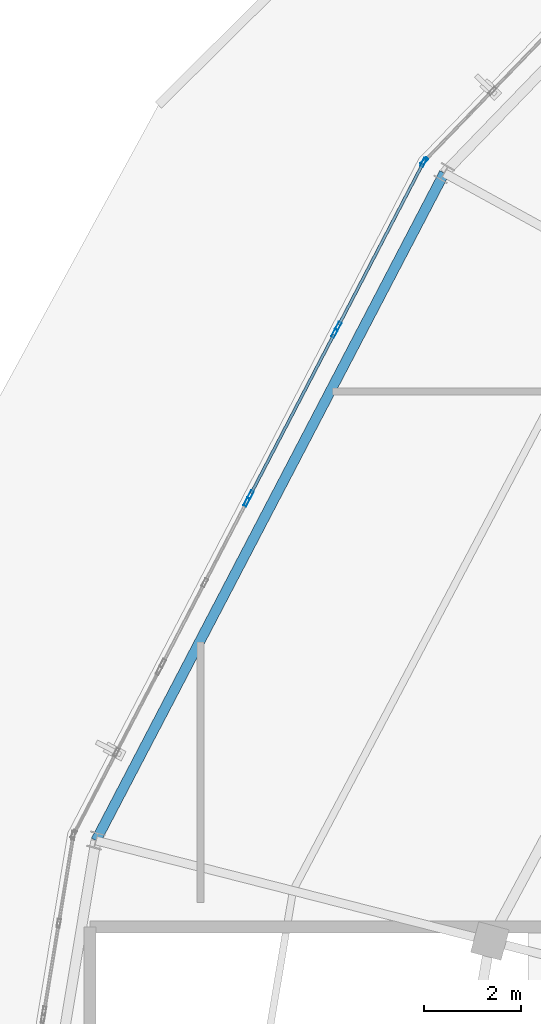
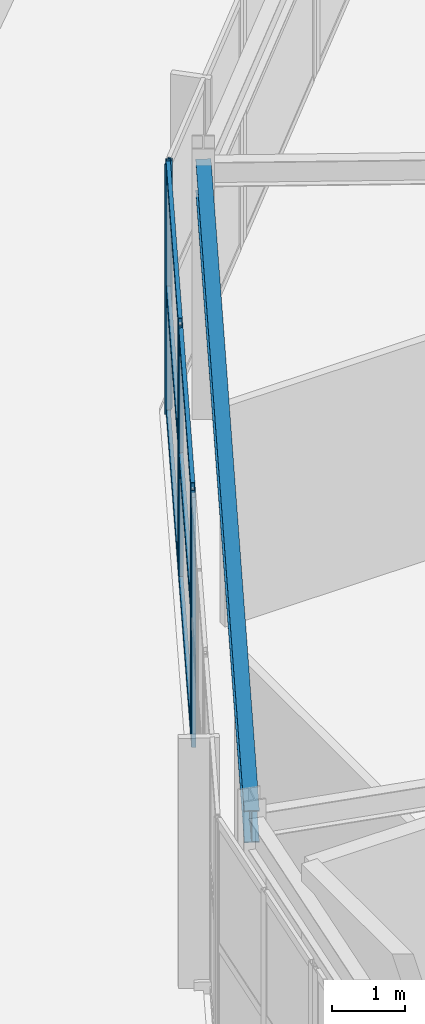
# One storey, part 56 of 126: 12 members, 1 beam, 4 elements without a shape of their own.
"""IFC4 building model written with IfcOpenShell, lengths in metres."""

import ifcopenshell
import ifcopenshell.guid

model = None  # the IFC model being written
_history = None  # IfcOwnerHistory: only IFC2X3 demands one
_inside = {}  # id of a spatial element -> (the spatial element, [elements in it])
_under = {}  # id of a project, library or spatial element -> (it, [spatial elements below it])
_declared = {}  # id of a project -> (the project, [libraries it declares])
_typed = {}  # id of a type object -> (the type object, [elements of that type])
_made_of = {}  # id of a material, layer set ... -> (it, [elements and type objects made of it])


def new_model(schema):
    """Start an empty IFC model of exactly this schema.

    Asked for "IFC4X3", IfcOpenShell would pick the latest addendum, in which some entities
    have other attributes; the version numbers below select the first issue.
    IFC2X3 requires an IfcOwnerHistory on every rooted entity: one is made here for all.
    """
    global model, _history
    if schema == "IFC4X3":
        model = ifcopenshell.file(schema_version=(4, 3, 0, 0))
    else:
        model = ifcopenshell.file(schema=schema)
    _inside.clear()
    _under.clear()
    _declared.clear()
    _typed.clear()
    _made_of.clear()
    _history = None
    if model.schema == "IFC2X3":
        org = make("IfcOrganization", Name="unknown")
        user = make(
            "IfcPersonAndOrganization",
            ThePerson=make("IfcPerson", FamilyName="unknown"),
            TheOrganization=org,
        )
        app = make(
            "IfcApplication",
            ApplicationDeveloper=org,
            Version="unknown",
            ApplicationFullName="unknown",
            ApplicationIdentifier="unknown",
        )
        _history = make(
            "IfcOwnerHistory",
            OwningUser=user,
            OwningApplication=app,
            ChangeAction="ADDED",
            CreationDate=0,
        )
    return model


def make(cls, **values):
    """One entity of the class cls with the attributes given. An attribute that is None is left unset."""
    return model.create_entity(
        cls, **{name: value for name, value in values.items() if value is not None}
    )


def rooted(cls, **values):
    """An entity with a GlobalId (a new one), such as an element, a storey or a relation."""
    return make(cls, GlobalId=ifcopenshell.guid.new(), OwnerHistory=_history, **values)


def si_unit(unit_type, name, prefix=None):
    """IfcSIUnit, for example si_unit("LENGTHUNIT", "METRE", prefix="MILLI")."""
    return make("IfcSIUnit", UnitType=unit_type, Prefix=prefix, Name=name)


def assignment(units):
    """IfcUnitAssignment: the units of a project."""
    return None if units is None else make("IfcUnitAssignment", Units=units)


def point(xyz):
    """IfcCartesianPoint."""
    return None if xyz is None else make("IfcCartesianPoint", Coordinates=xyz)


def direction(xyz):
    """IfcDirection."""
    return None if xyz is None else make("IfcDirection", DirectionRatios=xyz)


def frame(location, z_axis=None, x_axis=None):
    """IfcAxis2Placement3D, a coordinate frame: its origin and axes. An axis left out is left unset."""
    return make(
        "IfcAxis2Placement3D",
        Location=point(location),
        Axis=direction(z_axis),
        RefDirection=direction(x_axis),
    )


def frame_2d(location, x_axis=None):
    """IfcAxis2Placement2D, a coordinate frame in the plane: its origin and x axis."""
    return make(
        "IfcAxis2Placement2D", Location=point(location), RefDirection=direction(x_axis)
    )


def origin():
    """The frame at (0, 0, 0) with its axes left unset."""
    return frame((0.0, 0.0, 0.0))


def origin_2d():
    """The frame at (0, 0) in the plane with its x axis left unset."""
    return frame_2d((0.0, 0.0))


def place(relative_to, where):
    """IfcLocalPlacement: puts the frame where relative to a parent placement (None: the world)."""
    return make(
        "IfcLocalPlacement", PlacementRelTo=relative_to, RelativePlacement=where
    )


def context(
    kind, dimensions, precision=None, world=None, true_north=None, identifier=None
):
    """IfcGeometricRepresentationContext, for example the 3D "Model" context."""
    return make(
        "IfcGeometricRepresentationContext",
        ContextIdentifier=identifier,
        ContextType=kind,
        CoordinateSpaceDimension=dimensions,
        Precision=precision,
        WorldCoordinateSystem=world,
        TrueNorth=true_north,
    )


def subcontext(parent, identifier, kind, view, scale=None):
    """IfcGeometricRepresentationSubContext, for example "Body" below "Model"."""
    return make(
        "IfcGeometricRepresentationSubContext",
        ContextIdentifier=identifier,
        ContextType=kind,
        ParentContext=parent,
        TargetScale=scale,
        TargetView=view,
    )


def project(units=None, contexts=None):
    """IfcProject with its units and contexts."""
    return rooted(
        "IfcProject",
        Name="project",
        RepresentationContexts=contexts,
        UnitsInContext=assignment(units),
    )


def spatial(cls, under=None, at=None, **own):
    """A site, building, storey or space (cls), placed at a placement, below another one or the project."""
    s = rooted(cls, ObjectPlacement=at, **own)
    if under is not None:
        _under.setdefault(under.id(), (under, []))[1].append(s)
    return s


def profile(cls, at=None, kind="AREA", **sizes):
    """A parametric profile (cls). Its sizes go by their IFC names, for example OverallWidth=200.0."""
    return make(cls, ProfileType=kind, Position=at, **sizes)


def hollow_rectangle(**sizes):
    """IfcRectangleHollowProfileDef."""
    return profile("IfcRectangleHollowProfileDef", **sizes)


def i_section(**sizes):
    """IfcIShapeProfileDef."""
    return profile("IfcIShapeProfileDef", **sizes)


def extrude(swept, where, along, depth):
    """IfcExtrudedAreaSolid: the profile swept, set in the frame where, extruded along a direction by depth."""
    return make(
        "IfcExtrudedAreaSolid",
        SweptArea=swept,
        Position=where,
        ExtrudedDirection=direction(along),
        Depth=depth,
    )


def shape(context_of_items, identifier, shape_type, items):
    """IfcShapeRepresentation: the items that make up one representation, for example the "Body"."""
    return make(
        "IfcShapeRepresentation",
        ContextOfItems=context_of_items,
        RepresentationIdentifier=identifier,
        RepresentationType=shape_type,
        Items=items,
    )


def material(Name=None, Category=None):
    """IfcMaterial."""
    return make("IfcMaterial", Name=Name, Category=Category)


def layer(
    of_material, thickness, ventilated=None, Name=None, Category=None, Priority=None
):
    """IfcMaterialLayer: one layer of a wall or slab, of a material (None: an air gap)."""
    return make(
        "IfcMaterialLayer",
        Material=of_material,
        LayerThickness=thickness,
        IsVentilated=ventilated,
        Name=Name,
        Category=Category,
        Priority=Priority,
    )


def layer_set(layers, Name=None):
    """IfcMaterialLayerSet."""
    return make("IfcMaterialLayerSet", MaterialLayers=layers, LayerSetName=Name)


def material_profile(
    of_material, cross_section, Name=None, Category=None, Priority=None
):
    """IfcMaterialProfile: a cross section and its material."""
    return make(
        "IfcMaterialProfile",
        Name=Name,
        Material=of_material,
        Profile=cross_section,
        Priority=Priority,
        Category=Category,
    )


def profile_set(profiles, Name=None, composite=None):
    """IfcMaterialProfileSet."""
    return make(
        "IfcMaterialProfileSet",
        Name=Name,
        MaterialProfiles=profiles,
        CompositeProfile=composite,
    )


def made_of(thing, what):
    """Note that an element or type object is made of a material, layer set ...; save() writes the relation."""
    if what is not None:
        _made_of.setdefault(what.id(), (what, []))[1].append(thing)
    return thing


def type_object(cls, material=None, **own):
    """A type object (cls), such as IfcWallType, which elements share."""
    return made_of(rooted(cls, **own), material)


def element(
    cls,
    number,
    at=None,
    inside=None,
    cuts=None,
    type_object=None,
    material=None,
    context=None,
    identifier="Body",
    shape_type=None,
    held_by="IfcProductDefinitionShape",
    body=None,
    shapes=None,
    **own,
):
    """One element of the class cls, such as IfcWall. Its Tag is "e" and its number.

    at: its placement. inside: the storey or other place that contains it. cuts: it is an
    opening in that element (IfcRelVoidsElement). A single representation is given by context,
    identifier, shape_type and body (its items); several are given by shapes. held_by: the class
    of the entity that holds the representations. save() writes the other relations.
    """
    e = rooted(cls, Tag="e%d" % number, ObjectPlacement=at, **own)
    if body is not None:
        shapes = [shape(context, identifier, shape_type, body)]
    if shapes is not None:
        e.Representation = make(held_by, Representations=shapes)
    if inside is not None:
        _inside.setdefault(inside.id(), (inside, []))[1].append(e)
    if cuts is not None:
        rooted(
            "IfcRelVoidsElement", RelatingBuildingElement=cuts, RelatedOpeningElement=e
        )
    if type_object is not None:
        _typed.setdefault(type_object.id(), (type_object, []))[1].append(e)
    return made_of(e, material)


def aggregate(whole, parts):
    """IfcRelAggregates: a whole, such as a stair, and the parts it consists of."""
    return rooted("IfcRelAggregates", RelatingObject=whole, RelatedObjects=parts)


def save(model, path):
    """Write the relations noted so far, then the file.

    IfcRelAggregates (storeys below a building ...), IfcRelContainedInSpatialStructure (elements
    in a storey), IfcRelDefinesByType, IfcRelAssociatesMaterial and IfcRelDeclares: one each for
    every whole, place, type object, material and project.
    """
    for whole, parts in _under.values():
        aggregate(whole, parts)
    for where, things in _inside.values():
        rooted(
            "IfcRelContainedInSpatialStructure",
            RelatedElements=things,
            RelatingStructure=where,
        )
    for kind, things in _typed.values():
        rooted("IfcRelDefinesByType", RelatedObjects=things, RelatingType=kind)
    for what, things in _made_of.values():
        rooted("IfcRelAssociatesMaterial", RelatedObjects=things, RelatingMaterial=what)
    for by, libraries in _declared.values():
        rooted("IfcRelDeclares", RelatingContext=by, RelatedDefinitions=libraries)
    model.write(path)


model = new_model("IFC4")

# Units and contexts
model_context = context("Model", 3, precision=1e-05, world=origin(), true_north=direction((0.0, 1.0)))
body_context = subcontext(model_context, "Body", "Model", "MODEL_VIEW")
ifc_project = project(units=[si_unit("LENGTHUNIT", "METRE"), si_unit("AREAUNIT", "SQUARE_METRE"), si_unit("VOLUMEUNIT", "CUBIC_METRE"), si_unit("PLANEANGLEUNIT", "RADIAN"), si_unit("MASSUNIT", "GRAM", prefix="KILO")], contexts=[model_context])

# Site, building, storey
site_placement = place(None, origin())
site = spatial("IfcSite", under=ifc_project, at=site_placement, CompositionType="ELEMENT")
building_placement = place(site_placement, origin())
building = spatial("IfcBuilding", under=site, at=building_placement, Name="Kalgoora Escarpment Arena", CompositionType="ELEMENT")
storey_placement = place(building_placement, frame((0.0, 0.0, 18.89990234375)))
storey = spatial("IfcBuildingStorey", under=building, at=storey_placement, Name="L04", CompositionType="ELEMENT", Elevation=18.89990234375)

# Beam
ifc_material_1 = material(Name="Structural steel AS/NZS 3679 (300 MPa)", Category="steel")
ifc_material_profile_1 = material_profile(ifc_material_1, i_section(OverallWidth=0.208984375, OverallDepth=0.532958984375, WebThickness=0.01025390625, FlangeThickness=0.015625, at=origin_2d()))
ifc_profile_set_1 = profile_set([ifc_material_profile_1], Name="Structural steel AS/NZS 3679 (300 MPa)")
beam_type = type_object("IfcBeamType", Name="BM-SPANDREL-530UB92.4", PredefinedType="SPANDREL", material=ifc_profile_set_1)
beam_placement = place(storey_placement, frame((30.219482421875, 92.5, 3.95361328125), z_axis=(-0.462595600895, -0.886569405085, 0.0), x_axis=(0.886569405085, -0.462595600895, 0.0)))
element("IfcBeam", 1, at=beam_placement, inside=storey, type_object=beam_type, Name="L04 Circumferential concourse girder RCONC2 530UB92.4", PredefinedType="SPANDREL", context=body_context, shape_type="SweptSolid", body=[
    extrude(i_section(OverallWidth=0.208984375, OverallDepth=0.532958984375, WebThickness=0.01025390625, FlangeThickness=0.015625, at=origin_2d()), origin(), (0.0, 0.0, 1.0), 15.506103515625),
])

# Curtain wall, member
ifc_material_2 = material(Name=" Champagne anodised aluminium & double-glazed low-E", Category="aluminium")
ifc_layer_1 = layer(ifc_material_2, 0.166015625)
ifc_layer_set_1 = layer_set([ifc_layer_1], Name="CW-UNIT-04")
curtain_wall_type_1 = type_object("IfcCurtainWallType", Name="CW-UNIT-04", PredefinedType="NOTDEFINED", material=ifc_layer_set_1)
curtain_wall_1_placement = place(storey_placement, origin())
curtain_wall_1 = element("IfcCurtainWall", 2, at=curtain_wall_1_placement, inside=storey, type_object=curtain_wall_type_1, Name="L04 unitised facade curtain wall 143", PredefinedType="NOTDEFINED")
ifc_material_3 = material(Name="Anodised aluminium 6063-T6", Category="aluminium")
ifc_material_profile_2 = material_profile(ifc_material_3, hollow_rectangle(XDim=0.06494140625, YDim=0.179931640625, WallThickness=0.00390625, at=origin_2d()))
ifc_profile_set_2 = profile_set([ifc_material_profile_2], Name="Anodised aluminium 6063-T6")
member_type_1 = type_object("IfcMemberType", Name="MEM-CW-MULL-180", PredefinedType="MULLION", material=ifc_profile_set_2)
member_1_placement = place(storey_placement, frame((26.151611328125, 85.725341796875, 0.02001953125), z_axis=(0.0, 0.0, 1.0), x_axis=(-0.886984539651, 0.46179911912, 0.0)))
member_1 = element("IfcMember", 3, at=member_1_placement, type_object=member_type_1, Name="CW-04 mullion 3", PredefinedType="MULLION", context=body_context, shape_type="SweptSolid", body=[
    extrude(hollow_rectangle(XDim=0.06494140625, YDim=0.179931640625, WallThickness=0.00390625, at=origin_2d()), origin(), (0.0, 0.0, 1.0), 4.16015625),
])
aggregate(curtain_wall_1, [member_1])

# Curtain wall, members
ifc_material_4 = material(Name=" Champagne anodised aluminium & double-glazed low-E", Category="aluminium")
ifc_layer_2 = layer(ifc_material_4, 0.14990234375)
ifc_layer_set_2 = layer_set([ifc_layer_2], Name="CW-UNIT-05")
curtain_wall_type_2 = type_object("IfcCurtainWallType", Name="CW-UNIT-05", PredefinedType="NOTDEFINED", material=ifc_layer_set_2)
curtain_wall_2_placement = place(storey_placement, origin())
curtain_wall_2 = element("IfcCurtainWall", 4, at=curtain_wall_2_placement, inside=storey, type_object=curtain_wall_type_2, Name="L04 unitised facade curtain wall 144", PredefinedType="NOTDEFINED")
member_2_placement = place(storey_placement, frame((26.22802734375, 85.871826171875, 0.02001953125), z_axis=(0.0, 0.0, 1.0), x_axis=(-0.886984539651, 0.46179911912, 0.0)))
member_2 = element("IfcMember", 5, at=member_2_placement, type_object=member_type_1, Name="CW-05 mullion 1", PredefinedType="MULLION", context=body_context, shape_type="SweptSolid", body=[
    extrude(hollow_rectangle(XDim=0.06494140625, YDim=0.179931640625, WallThickness=0.00390625, at=origin_2d()), origin(), (0.0, 0.0, 1.0), 4.16015625),
])
member_3_placement = place(storey_placement, frame((27.9599609375, 89.198486328125, 0.02001953125), z_axis=(0.0, 0.0, 1.0), x_axis=(-0.886984539651, 0.46179911912, 0.0)))
member_3 = element("IfcMember", 6, at=member_3_placement, type_object=member_type_1, Name="CW-05 mullion 2", PredefinedType="MULLION", context=body_context, shape_type="SweptSolid", body=[
    extrude(hollow_rectangle(XDim=0.06494140625, YDim=0.179931640625, WallThickness=0.00390625, at=origin_2d()), origin(), (0.0, 0.0, 1.0), 4.16015625),
])

ifc_material_5 = material(Name=" Champagne anodised aluminium & double-glazed low-E", Category="aluminium")
ifc_layer_3 = layer(ifc_material_5, 0.154052734375)
ifc_layer_set_3 = layer_set([ifc_layer_3], Name="CW-UNIT-06")
curtain_wall_type_3 = type_object("IfcCurtainWallType", Name="CW-UNIT-06", PredefinedType="NOTDEFINED", material=ifc_layer_set_3)
curtain_wall_3_placement = place(storey_placement, origin())
curtain_wall_3 = element("IfcCurtainWall", 7, at=curtain_wall_3_placement, inside=storey, type_object=curtain_wall_type_3, Name="L04 unitised facade curtain wall 145", PredefinedType="NOTDEFINED")
member_4_placement = place(storey_placement, frame((28.0361328125, 89.3447265625, 0.02001953125), z_axis=(0.0, 0.0, 1.0), x_axis=(-0.886986276427, 0.461795783252, 0.0)))
member_4 = element("IfcMember", 8, at=member_4_placement, type_object=member_type_1, Name="CW-06 mullion 1", PredefinedType="MULLION", context=body_context, shape_type="SweptSolid", body=[
    extrude(hollow_rectangle(XDim=0.06494140625, YDim=0.179931640625, WallThickness=0.00390625, at=origin_2d()), origin(), (0.0, 0.0, 1.0), 4.16015625),
])
member_5_placement = place(storey_placement, frame((29.791259765625, 92.7158203125, 0.02001953125), z_axis=(0.0, 0.0, 1.0), x_axis=(-0.886986276427, 0.461795783252, 0.0)))
member_5 = element("IfcMember", 9, at=member_5_placement, type_object=member_type_1, Name="CW-06 mullion 2", PredefinedType="MULLION", context=body_context, shape_type="SweptSolid", body=[
    extrude(hollow_rectangle(XDim=0.06494140625, YDim=0.179931640625, WallThickness=0.00390625, at=origin_2d()), origin(), (0.0, 0.0, 1.0), 4.16015625),
])

# Curtain wall, member
ifc_material_6 = material(Name=" Champagne anodised aluminium & double-glazed low-E", Category="aluminium")
ifc_layer_4 = layer(ifc_material_6, 0.157958984375)
ifc_layer_set_4 = layer_set([ifc_layer_4], Name="CW-UNIT-07")
curtain_wall_type_4 = type_object("IfcCurtainWallType", Name="CW-UNIT-07", PredefinedType="NOTDEFINED", material=ifc_layer_set_4)
curtain_wall_4_placement = place(storey_placement, origin())
curtain_wall_4 = element("IfcCurtainWall", 10, at=curtain_wall_4_placement, inside=storey, type_object=curtain_wall_type_4, Name="L04 unitised facade curtain wall 146", PredefinedType="NOTDEFINED")
member_6_placement = place(storey_placement, frame((29.808837890625, 92.739990234375, 0.02001953125), z_axis=(0.0, 0.0, 1.0), x_axis=(-0.719779772297, 0.69420247723, 0.0)))
member_6 = element("IfcMember", 11, at=member_6_placement, type_object=member_type_1, Name="CW-07 mullion 1", PredefinedType="MULLION", context=body_context, shape_type="SweptSolid", body=[
    extrude(hollow_rectangle(XDim=0.06494140625, YDim=0.179931640625, WallThickness=0.00390625, at=origin_2d()), origin(), (0.0, 0.0, 1.0), 4.16015625),
])
aggregate(curtain_wall_4, [member_6])

# Member
ifc_material_7 = material(Name="Anodised aluminium 6063-T6", Category="aluminium")
ifc_material_profile_3 = material_profile(ifc_material_7, hollow_rectangle(XDim=0.06005859375, YDim=0.14990234375, WallThickness=0.00341796875, at=origin_2d()))
ifc_profile_set_3 = profile_set([ifc_material_profile_3], Name="Anodised aluminium 6063-T6")
member_type_2 = type_object("IfcMemberType", Name="MEM-CW-TRAN-150", PredefinedType="USERDEFINED", material=ifc_profile_set_3)
member_7_placement = place(storey_placement, frame((26.242919921875, 85.900634765625, 0.050048828125), z_axis=(0.461807393685, 0.886980231537, 0.0), x_axis=(-0.886980231537, 0.461807393685, 0.0)))
member_7 = element("IfcMember", 12, at=member_7_placement, type_object=member_type_2, Name="CW-05 transom 1.1", ObjectType="TRANSOM", PredefinedType="USERDEFINED", context=body_context, shape_type="SweptSolid", body=[
    extrude(hollow_rectangle(XDim=0.06005859375, YDim=0.14990234375, WallThickness=0.00341796875, at=origin_2d()), origin(), (0.0, 0.0, 1.0), 3.685302734375),
])

member_8_placement = place(storey_placement, frame((26.242919921875, 85.900634765625, 2.110107421875), z_axis=(0.461807393685, 0.886980231537, 0.0), x_axis=(-0.886980231537, 0.461807393685, 0.0)))
member_8 = element("IfcMember", 13, at=member_8_placement, type_object=member_type_2, Name="CW-05 transom 1.2", ObjectType="TRANSOM", PredefinedType="USERDEFINED", context=body_context, shape_type="SweptSolid", body=[
    extrude(hollow_rectangle(XDim=0.06005859375, YDim=0.14990234375, WallThickness=0.00341796875, at=origin_2d()), origin(), (0.0, 0.0, 1.0), 3.685302734375),
])

member_9_placement = place(storey_placement, frame((26.242919921875, 85.900634765625, 4.150146484375), z_axis=(0.461807393685, 0.886980231537, 0.0), x_axis=(-0.886980231537, 0.461807393685, 0.0)))
member_9 = element("IfcMember", 14, at=member_9_placement, type_object=member_type_2, Name="CW-05 transom 1.3", ObjectType="TRANSOM", PredefinedType="USERDEFINED", context=body_context, shape_type="SweptSolid", body=[
    extrude(hollow_rectangle(XDim=0.06005859375, YDim=0.14990234375, WallThickness=0.00341796875, at=origin_2d()), origin(), (0.0, 0.0, 1.0), 3.685302734375),
])

aggregate(curtain_wall_2, [member_2, member_3, member_7, member_8, member_9])

member_10_placement = place(storey_placement, frame((28.051025390625, 89.37353515625, 0.050048828125), z_axis=(0.461793038969, 0.886987705191, 0.0), x_axis=(-0.886987705191, 0.461793038969, 0.0)))
member_10 = element("IfcMember", 15, at=member_10_placement, type_object=member_type_2, Name="CW-06 transom 1.1", ObjectType="TRANSOM", PredefinedType="USERDEFINED", context=body_context, shape_type="SweptSolid", body=[
    extrude(hollow_rectangle(XDim=0.06005859375, YDim=0.14990234375, WallThickness=0.00341796875, at=origin_2d()), origin(), (0.0, 0.0, 1.0), 3.735595703125),
])

member_11_placement = place(storey_placement, frame((28.051025390625, 89.37353515625, 2.110107421875), z_axis=(0.461793038969, 0.886987705191, 0.0), x_axis=(-0.886987705191, 0.461793038969, 0.0)))
member_11 = element("IfcMember", 16, at=member_11_placement, type_object=member_type_2, Name="CW-06 transom 1.2", ObjectType="TRANSOM", PredefinedType="USERDEFINED", context=body_context, shape_type="SweptSolid", body=[
    extrude(hollow_rectangle(XDim=0.06005859375, YDim=0.14990234375, WallThickness=0.00341796875, at=origin_2d()), origin(), (0.0, 0.0, 1.0), 3.735595703125),
])

member_12_placement = place(storey_placement, frame((28.051025390625, 89.37353515625, 4.150146484375), z_axis=(0.461793038969, 0.886987705191, 0.0), x_axis=(-0.886987705191, 0.461793038969, 0.0)))
member_12 = element("IfcMember", 17, at=member_12_placement, type_object=member_type_2, Name="CW-06 transom 1.3", ObjectType="TRANSOM", PredefinedType="USERDEFINED", context=body_context, shape_type="SweptSolid", body=[
    extrude(hollow_rectangle(XDim=0.06005859375, YDim=0.14990234375, WallThickness=0.00341796875, at=origin_2d()), origin(), (0.0, 0.0, 1.0), 3.735595703125),
])

aggregate(curtain_wall_3, [member_4, member_5, member_10, member_11, member_12])

save(model, "model.ifc")
